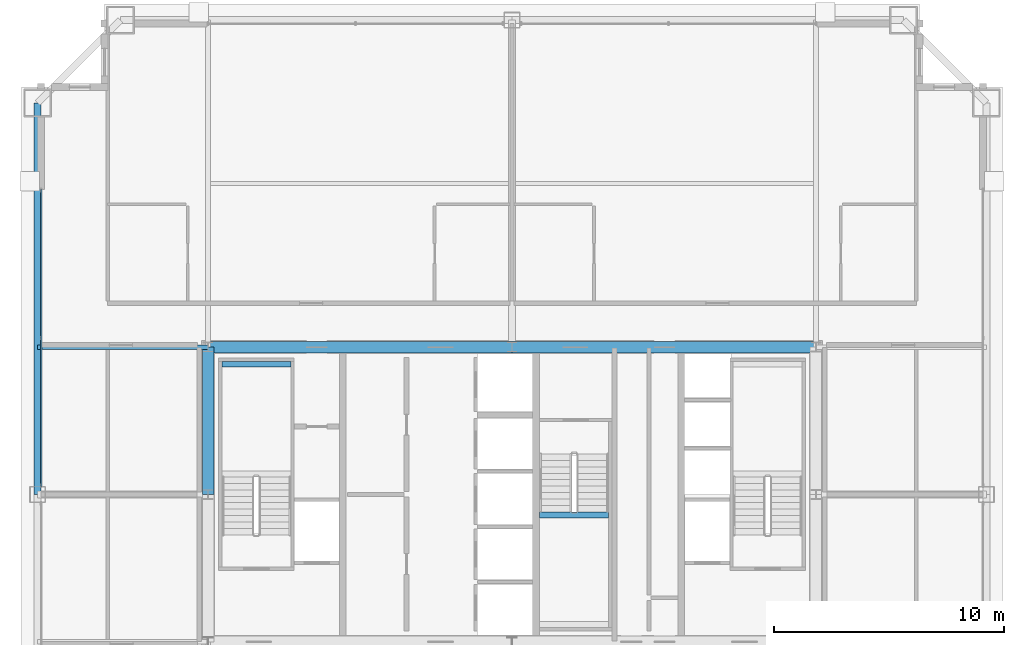
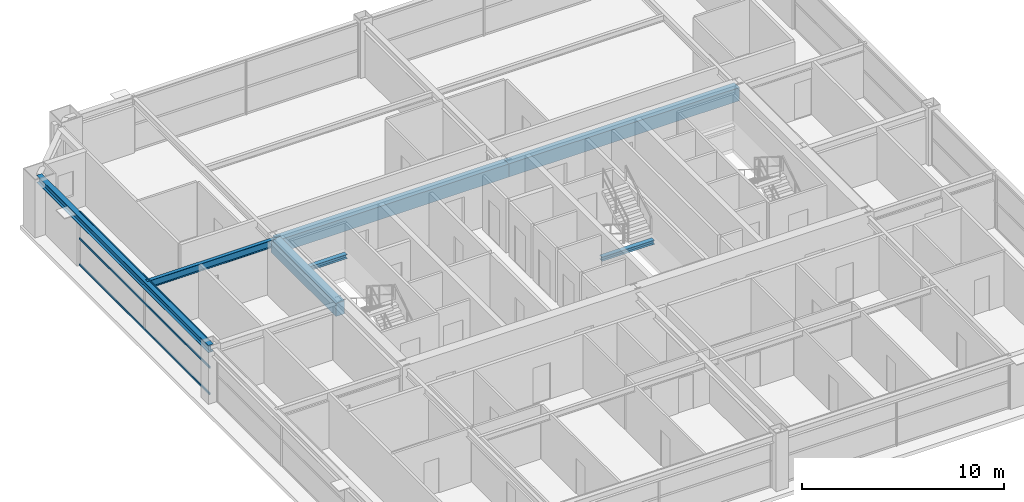
# One storey, part 14 of 36: 7 beams, 3 members, 1 element without a shape of its own.
"""IFC4 building model written with IfcOpenShell, lengths in metres."""

from ifc_helpers import new_model, si_unit, direction, frame, origin, origin_2d, place, context, subcontext, project, spatial, rectangle, hollow_rectangle, i_section, extrude, source, transform, mapped, material, layer, layer_set, material_profile, profile_set, type_object, element, aggregate, save


model = new_model("IFC4")

# Units and contexts
model_context = context("Model", 3, precision=1e-05, world=origin(), true_north=direction((0.0, 1.0)))
body_context = subcontext(model_context, "Body", "Model", "MODEL_VIEW")
ifc_project = project(units=[si_unit("LENGTHUNIT", "METRE"), si_unit("AREAUNIT", "SQUARE_METRE"), si_unit("VOLUMEUNIT", "CUBIC_METRE"), si_unit("PLANEANGLEUNIT", "RADIAN"), si_unit("MASSUNIT", "GRAM", prefix="KILO"), si_unit("THERMODYNAMICTEMPERATUREUNIT", "KELVIN"), si_unit("POWERUNIT", "WATT")], contexts=[model_context])

# Site, building, storey
site_placement = place(None, origin())
site = spatial("IfcSite", under=ifc_project, at=site_placement, CompositionType="ELEMENT")
building_placement = place(site_placement, origin())
building = spatial("IfcBuilding", under=site, at=building_placement, Name="Yuzanri Waterfront Tower", CompositionType="ELEMENT")
storey_placement = place(building_placement, frame((0.0, 0.0, 224.10009765625)))
storey = spatial("IfcBuildingStorey", under=building, at=storey_placement, Name="L59", CompositionType="ELEMENT", Elevation=224.10009765625)

# Beams
ifc_material_1 = material(Name="Concrete C50", Category="concrete")
ifc_material_profile_1 = material_profile(ifc_material_1, rectangle(XDim=0.5, YDim=0.800048828125, at=origin_2d()), Name="RC 500x800")
ifc_profile_set_1 = profile_set([ifc_material_profile_1], Name="Concrete C50")
beam_type_1 = type_object("IfcBeamType", Name="Core Coupling Lintel Concrete C50 500x800", PredefinedType="LINTEL", material=ifc_profile_set_1)
shared_shape_1 = source(origin(), body_context, "Body", "SweptSolid", [
    extrude(rectangle(XDim=0.5, YDim=0.800048828125, at=origin_2d()), origin(), (0.0, 0.0, 1.0), 13.199951171875),
])
for number, where, z_axis, x_axis, name in (
    (1, (23.800048828125, 32.199951171875, 2.8798828125), (1.0, 0.0, 0.0), (0.0, 1.0, 0.0), "L59 Core Tie Beam CN1"),
    (2, (37.0, 32.199951171875, 2.8798828125), (1.0, 0.0, 0.0), (0.0, 1.0, 0.0), "L59 Core Tie Beam CN2"),
):
    element("IfcBeam", number, at=place(storey_placement, frame(where, z_axis=z_axis, x_axis=x_axis)), inside=storey, type_object=beam_type_1, Name=name, PredefinedType="LINTEL", context=body_context, shape_type="MappedRepresentation", body=[
        mapped(shared_shape_1, transform((0.0, 0.0, 0.0), scale=1.0)),
    ])
shared_shape_2 = source(origin(), body_context, "Body", "SweptSolid", [
    extrude(rectangle(XDim=0.5, YDim=0.800048828125, at=origin_2d()), origin(), (0.0, 0.0, 1.0), 6.39990234375),
])
beam_1_placement = place(storey_placement, frame((23.800048828125, 25.800048828125, 2.8798828125), z_axis=(0.0, 1.0, 0.0), x_axis=(-1.0, 0.0, 0.0)))
element("IfcBeam", 3, at=beam_1_placement, inside=storey, type_object=beam_type_1, Name="L59 Core Tie Beam CW2", PredefinedType="LINTEL", context=body_context, shape_type="MappedRepresentation", body=[
    mapped(shared_shape_2, transform((0.0, 0.0, 0.0), scale=1.0)),
])
ifc_material_2 = material(Name="Steel Q355B", Category="steel")
ifc_material_profile_2 = material_profile(ifc_material_2, i_section(OverallWidth=0.300048828125, OverallDepth=0.43994140625, WebThickness=0.010986328125, FlangeThickness=0.01806640625, at=origin_2d()), Name="HM 440x300x11x18")
ifc_profile_set_2 = profile_set([ifc_material_profile_2], Name="Steel Q355B")
beam_type_2 = type_object("IfcBeamType", Name="Perimeter Spandrel Q355B HM 440x300", PredefinedType="SPANDREL", material=ifc_profile_set_2)
shared_shape_3 = source(origin(), body_context, "Body", "SweptSolid", [
    extrude(i_section(OverallWidth=0.300048828125, OverallDepth=0.43994140625, WebThickness=0.010986328125, FlangeThickness=0.01806640625, at=origin_2d()), origin(), (0.0, 0.0, 1.0), 17.0),
])
beam_2_placement = place(storey_placement, frame((16.39990234375, 42.800048828125, 3.059814453125), z_axis=(0.0, -1.0, 0.0), x_axis=(1.0, 0.0, 0.0)))
element("IfcBeam", 4, at=beam_2_placement, inside=storey, type_object=beam_type_2, Name="L59 Perimeter Spandrel W3-W2", PredefinedType="SPANDREL", context=body_context, shape_type="MappedRepresentation", body=[
    mapped(shared_shape_3, transform((0.0, 0.0, 0.0), scale=1.0)),
])
ifc_material_3 = material(Name="Steel Q355B", Category="steel")
ifc_material_profile_3 = material_profile(ifc_material_3, i_section(OverallWidth=0.199951171875, OverallDepth=0.449951171875, WebThickness=0.009033203125, FlangeThickness=0.013916015625, at=origin_2d()), Name="HN 450x200x9x14")
ifc_profile_set_3 = profile_set([ifc_material_profile_3], Name="Steel Q355B")
beam_type_3 = type_object("IfcBeamType", Name="Secondary Floor Beam Q355B HN 450x200", PredefinedType="BEAM", material=ifc_profile_set_3)
shared_shape_4 = source(origin(), body_context, "Body", "SweptSolid", [
    extrude(i_section(OverallWidth=0.199951171875, OverallDepth=0.449951171875, WebThickness=0.009033203125, FlangeThickness=0.013916015625, at=origin_2d()), origin(), (0.0, 0.0, 1.0), 7.400146484375),
])
beam_3_placement = place(storey_placement, frame((23.800048828125, 32.199951171875, 3.054931640625), z_axis=(-1.0, 0.0, 0.0), x_axis=(0.0, -1.0, 0.0)))
element("IfcBeam", 5, at=beam_3_placement, inside=storey, type_object=beam_type_3, Name="L59 West-North Core Line Beam", PredefinedType="BEAM", context=body_context, shape_type="MappedRepresentation", body=[
    mapped(shared_shape_4, transform((0.0, 0.0, 0.0), scale=1.0)),
])

# Curtain wall, members
ifc_material_4 = material(Name="Anodized Architectural Bronze", Category="metal")
ifc_layer = layer(ifc_material_4, 0.159912109375)
ifc_layer_set = layer_set([ifc_layer], Name="Anodized Architectural Bronze")
curtain_wall_type = type_object("IfcCurtainWallType", Name="Anodized Bronze Mid-Rise Residential Acoustic Unitized Curtain Wall 7200", PredefinedType="NOTDEFINED", material=ifc_layer_set)
curtain_wall_placement = place(storey_placement, origin())
curtain_wall = element("IfcCurtainWall", 6, at=curtain_wall_placement, inside=storey, type_object=curtain_wall_type, Name="L59 Curtain Wall CW-L59-WR", PredefinedType="NOTDEFINED")
ifc_material_5 = material(Name="Anodized Architectural Bronze", Category="metal")
ifc_material_profile_4 = material_profile(ifc_material_5, hollow_rectangle(XDim=0.06494140625, YDim=0.1201171875, WallThickness=0.00341796875, at=origin_2d()), Name="CWT 65x120")
ifc_profile_set_4 = profile_set([ifc_material_profile_4], Name="Anodized Architectural Bronze")
member_type = type_object("IfcMemberType", Name="Anodized Bronze Secondary Curtain-Wall Transom 65x120", PredefinedType="USERDEFINED", material=ifc_profile_set_4)
shared_shape_5 = source(origin(), body_context, "Body", "SweptSolid", [
    extrude(hollow_rectangle(XDim=0.06494140625, YDim=0.1201171875, WallThickness=0.00341796875, at=origin_2d()), origin(), (0.0, 0.0, 1.0), 12.900146484375),
])
member_1_placement = place(storey_placement, frame((16.550048828125, 26.14990234375, 0.0498046875), z_axis=(0.0, 1.0, 0.0), x_axis=(-1.0, 0.0, 0.0)))
member_1 = element("IfcMember", 7, at=member_1_placement, type_object=member_type, Name="CW-L59-WR Transom 1", ObjectType="TRANSOM", PredefinedType="USERDEFINED", context=body_context, shape_type="MappedRepresentation", body=[
    mapped(shared_shape_5, transform((0.0, 0.0, 0.0), scale=1.0)),
])
member_2_placement = place(storey_placement, frame((16.550048828125, 26.14990234375, 1.639892578125), z_axis=(0.0, 1.0, 0.0), x_axis=(-1.0, 0.0, 0.0)))
member_2 = element("IfcMember", 8, at=member_2_placement, type_object=member_type, Name="CW-L59-WR Transom 2", ObjectType="TRANSOM", PredefinedType="USERDEFINED", context=body_context, shape_type="MappedRepresentation", body=[
    mapped(shared_shape_5, transform((0.0, 0.0, 0.0), scale=1.0)),
])
member_3_placement = place(storey_placement, frame((16.550048828125, 26.14990234375, 3.22998046875), z_axis=(0.0, 1.0, 0.0), x_axis=(-1.0, 0.0, 0.0)))
member_3 = element("IfcMember", 9, at=member_3_placement, type_object=member_type, Name="CW-L59-WR Transom 3", ObjectType="TRANSOM", PredefinedType="USERDEFINED", context=body_context, shape_type="MappedRepresentation", body=[
    mapped(shared_shape_5, transform((0.0, 0.0, 0.0), scale=1.0)),
])
aggregate(curtain_wall, [member_1, member_2, member_3])

# Beams
ifc_material_6 = material(Name="Steel Q355B", Category="steel")
ifc_material_profile_5 = material_profile(ifc_material_6, i_section(OverallWidth=0.25, OverallDepth=0.25, WebThickness=0.009033203125, FlangeThickness=0.013916015625, at=origin_2d()), Name="HW 250x250x9x14")
ifc_profile_set_5 = profile_set([ifc_material_profile_5], Name="Steel Q355B")
beam_type_4 = type_object("IfcBeamType", Name="Stair Landing Support Beam Q355B HW 250x250", PredefinedType="BEAM", material=ifc_profile_set_5)
shared_shape_6 = source(origin(), body_context, "Body", "SweptSolid", [
    extrude(i_section(OverallWidth=0.25, OverallDepth=0.25, WebThickness=0.009033203125, FlangeThickness=0.013916015625, at=origin_2d()), origin(), (0.0, 0.0, 1.0), 3.0),
])
for number, where, z_axis, x_axis, name in (
    (10, (24.39990234375, 31.449951171875, 1.4248046875), (1.0, 0.0, 0.0), (0.0, 1.0, 0.0), "L59 Stair Landing Support Beam ST-01-L59-L1-2"),
    (11, (38.199951171875, 24.909912109375, 1.4248046875), (1.0, 0.0, 0.0), (0.0, 1.0, 0.0), "L59 Stair Landing Support Beam ST-03-L59-L1-2"),
):
    element("IfcBeam", number, at=place(storey_placement, frame(where, z_axis=z_axis, x_axis=x_axis)), inside=storey, type_object=beam_type_4, Name=name, PredefinedType="BEAM", context=body_context, shape_type="MappedRepresentation", body=[
        mapped(shared_shape_6, transform((0.0, 0.0, 0.0), scale=1.0)),
    ])

save(model, "model.ifc")
